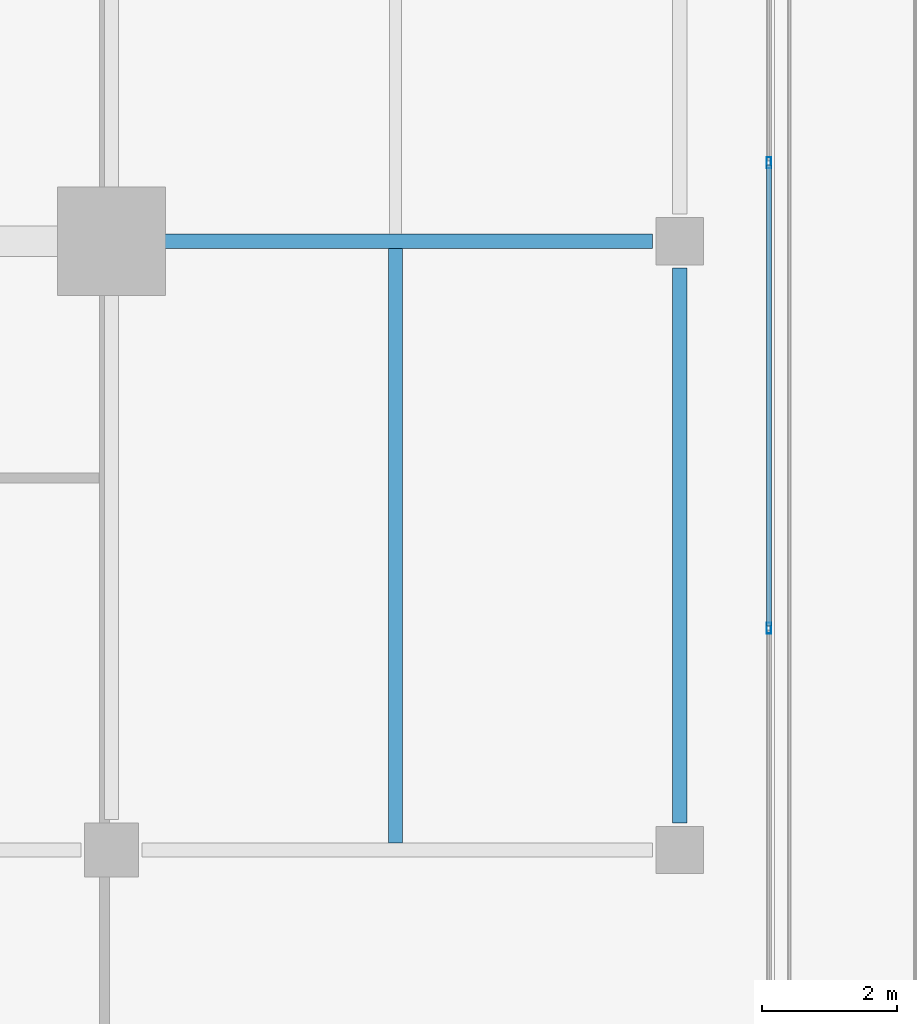
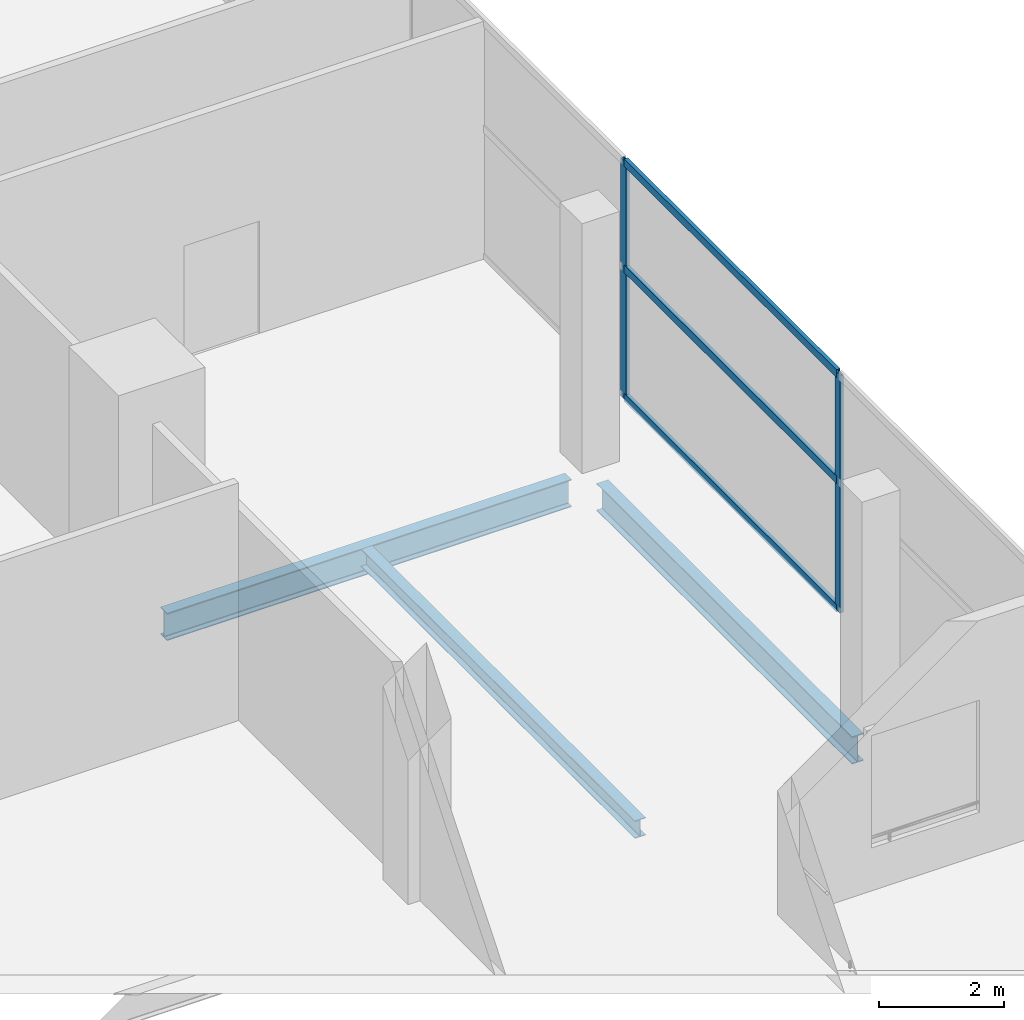
# One storey, part 12 of 28: 5 members, 3 beams, 1 element without a shape of its own.
"""IFC4 building model written with IfcOpenShell, lengths in metres."""

import ifcopenshell
import ifcopenshell.guid

model = None  # the IFC model being written
_history = None  # IfcOwnerHistory: only IFC2X3 demands one
_inside = {}  # id of a spatial element -> (the spatial element, [elements in it])
_under = {}  # id of a project, library or spatial element -> (it, [spatial elements below it])
_declared = {}  # id of a project -> (the project, [libraries it declares])
_typed = {}  # id of a type object -> (the type object, [elements of that type])
_made_of = {}  # id of a material, layer set ... -> (it, [elements and type objects made of it])


def new_model(schema):
    """Start an empty IFC model of exactly this schema.

    Asked for "IFC4X3", IfcOpenShell would pick the latest addendum, in which some entities
    have other attributes; the version numbers below select the first issue.
    IFC2X3 requires an IfcOwnerHistory on every rooted entity: one is made here for all.
    """
    global model, _history
    if schema == "IFC4X3":
        model = ifcopenshell.file(schema_version=(4, 3, 0, 0))
    else:
        model = ifcopenshell.file(schema=schema)
    _inside.clear()
    _under.clear()
    _declared.clear()
    _typed.clear()
    _made_of.clear()
    _history = None
    if model.schema == "IFC2X3":
        org = make("IfcOrganization", Name="unknown")
        user = make(
            "IfcPersonAndOrganization",
            ThePerson=make("IfcPerson", FamilyName="unknown"),
            TheOrganization=org,
        )
        app = make(
            "IfcApplication",
            ApplicationDeveloper=org,
            Version="unknown",
            ApplicationFullName="unknown",
            ApplicationIdentifier="unknown",
        )
        _history = make(
            "IfcOwnerHistory",
            OwningUser=user,
            OwningApplication=app,
            ChangeAction="ADDED",
            CreationDate=0,
        )
    return model


def make(cls, **values):
    """One entity of the class cls with the attributes given. An attribute that is None is left unset."""
    return model.create_entity(
        cls, **{name: value for name, value in values.items() if value is not None}
    )


def rooted(cls, **values):
    """An entity with a GlobalId (a new one), such as an element, a storey or a relation."""
    return make(cls, GlobalId=ifcopenshell.guid.new(), OwnerHistory=_history, **values)


def si_unit(unit_type, name, prefix=None):
    """IfcSIUnit, for example si_unit("LENGTHUNIT", "METRE", prefix="MILLI")."""
    return make("IfcSIUnit", UnitType=unit_type, Prefix=prefix, Name=name)


def assignment(units):
    """IfcUnitAssignment: the units of a project."""
    return None if units is None else make("IfcUnitAssignment", Units=units)


def point(xyz):
    """IfcCartesianPoint."""
    return None if xyz is None else make("IfcCartesianPoint", Coordinates=xyz)


def direction(xyz):
    """IfcDirection."""
    return None if xyz is None else make("IfcDirection", DirectionRatios=xyz)


def frame(location, z_axis=None, x_axis=None):
    """IfcAxis2Placement3D, a coordinate frame: its origin and axes. An axis left out is left unset."""
    return make(
        "IfcAxis2Placement3D",
        Location=point(location),
        Axis=direction(z_axis),
        RefDirection=direction(x_axis),
    )


def frame_2d(location, x_axis=None):
    """IfcAxis2Placement2D, a coordinate frame in the plane: its origin and x axis."""
    return make(
        "IfcAxis2Placement2D", Location=point(location), RefDirection=direction(x_axis)
    )


def origin():
    """The frame at (0, 0, 0) with its axes left unset."""
    return frame((0.0, 0.0, 0.0))


def origin_2d():
    """The frame at (0, 0) in the plane with its x axis left unset."""
    return frame_2d((0.0, 0.0))


def place(relative_to, where):
    """IfcLocalPlacement: puts the frame where relative to a parent placement (None: the world)."""
    return make(
        "IfcLocalPlacement", PlacementRelTo=relative_to, RelativePlacement=where
    )


def context(
    kind, dimensions, precision=None, world=None, true_north=None, identifier=None
):
    """IfcGeometricRepresentationContext, for example the 3D "Model" context."""
    return make(
        "IfcGeometricRepresentationContext",
        ContextIdentifier=identifier,
        ContextType=kind,
        CoordinateSpaceDimension=dimensions,
        Precision=precision,
        WorldCoordinateSystem=world,
        TrueNorth=true_north,
    )


def subcontext(parent, identifier, kind, view, scale=None):
    """IfcGeometricRepresentationSubContext, for example "Body" below "Model"."""
    return make(
        "IfcGeometricRepresentationSubContext",
        ContextIdentifier=identifier,
        ContextType=kind,
        ParentContext=parent,
        TargetScale=scale,
        TargetView=view,
    )


def project(units=None, contexts=None):
    """IfcProject with its units and contexts."""
    return rooted(
        "IfcProject",
        Name="project",
        RepresentationContexts=contexts,
        UnitsInContext=assignment(units),
    )


def spatial(cls, under=None, at=None, **own):
    """A site, building, storey or space (cls), placed at a placement, below another one or the project."""
    s = rooted(cls, ObjectPlacement=at, **own)
    if under is not None:
        _under.setdefault(under.id(), (under, []))[1].append(s)
    return s


def profile(cls, at=None, kind="AREA", **sizes):
    """A parametric profile (cls). Its sizes go by their IFC names, for example OverallWidth=200.0."""
    return make(cls, ProfileType=kind, Position=at, **sizes)


def hollow_rectangle(**sizes):
    """IfcRectangleHollowProfileDef."""
    return profile("IfcRectangleHollowProfileDef", **sizes)


def i_section(**sizes):
    """IfcIShapeProfileDef."""
    return profile("IfcIShapeProfileDef", **sizes)


def extrude(swept, where, along, depth):
    """IfcExtrudedAreaSolid: the profile swept, set in the frame where, extruded along a direction by depth."""
    return make(
        "IfcExtrudedAreaSolid",
        SweptArea=swept,
        Position=where,
        ExtrudedDirection=direction(along),
        Depth=depth,
    )


def shape(context_of_items, identifier, shape_type, items):
    """IfcShapeRepresentation: the items that make up one representation, for example the "Body"."""
    return make(
        "IfcShapeRepresentation",
        ContextOfItems=context_of_items,
        RepresentationIdentifier=identifier,
        RepresentationType=shape_type,
        Items=items,
    )


def material(Name=None, Category=None):
    """IfcMaterial."""
    return make("IfcMaterial", Name=Name, Category=Category)


def layer(
    of_material, thickness, ventilated=None, Name=None, Category=None, Priority=None
):
    """IfcMaterialLayer: one layer of a wall or slab, of a material (None: an air gap)."""
    return make(
        "IfcMaterialLayer",
        Material=of_material,
        LayerThickness=thickness,
        IsVentilated=ventilated,
        Name=Name,
        Category=Category,
        Priority=Priority,
    )


def layer_set(layers, Name=None):
    """IfcMaterialLayerSet."""
    return make("IfcMaterialLayerSet", MaterialLayers=layers, LayerSetName=Name)


def material_profile(
    of_material, cross_section, Name=None, Category=None, Priority=None
):
    """IfcMaterialProfile: a cross section and its material."""
    return make(
        "IfcMaterialProfile",
        Name=Name,
        Material=of_material,
        Profile=cross_section,
        Priority=Priority,
        Category=Category,
    )


def profile_set(profiles, Name=None, composite=None):
    """IfcMaterialProfileSet."""
    return make(
        "IfcMaterialProfileSet",
        Name=Name,
        MaterialProfiles=profiles,
        CompositeProfile=composite,
    )


def made_of(thing, what):
    """Note that an element or type object is made of a material, layer set ...; save() writes the relation."""
    if what is not None:
        _made_of.setdefault(what.id(), (what, []))[1].append(thing)
    return thing


def type_object(cls, material=None, **own):
    """A type object (cls), such as IfcWallType, which elements share."""
    return made_of(rooted(cls, **own), material)


def element(
    cls,
    number,
    at=None,
    inside=None,
    cuts=None,
    type_object=None,
    material=None,
    context=None,
    identifier="Body",
    shape_type=None,
    held_by="IfcProductDefinitionShape",
    body=None,
    shapes=None,
    **own,
):
    """One element of the class cls, such as IfcWall. Its Tag is "e" and its number.

    at: its placement. inside: the storey or other place that contains it. cuts: it is an
    opening in that element (IfcRelVoidsElement). A single representation is given by context,
    identifier, shape_type and body (its items); several are given by shapes. held_by: the class
    of the entity that holds the representations. save() writes the other relations.
    """
    e = rooted(cls, Tag="e%d" % number, ObjectPlacement=at, **own)
    if body is not None:
        shapes = [shape(context, identifier, shape_type, body)]
    if shapes is not None:
        e.Representation = make(held_by, Representations=shapes)
    if inside is not None:
        _inside.setdefault(inside.id(), (inside, []))[1].append(e)
    if cuts is not None:
        rooted(
            "IfcRelVoidsElement", RelatingBuildingElement=cuts, RelatedOpeningElement=e
        )
    if type_object is not None:
        _typed.setdefault(type_object.id(), (type_object, []))[1].append(e)
    return made_of(e, material)


def aggregate(whole, parts):
    """IfcRelAggregates: a whole, such as a stair, and the parts it consists of."""
    return rooted("IfcRelAggregates", RelatingObject=whole, RelatedObjects=parts)


def save(model, path):
    """Write the relations noted so far, then the file.

    IfcRelAggregates (storeys below a building ...), IfcRelContainedInSpatialStructure (elements
    in a storey), IfcRelDefinesByType, IfcRelAssociatesMaterial and IfcRelDeclares: one each for
    every whole, place, type object, material and project.
    """
    for whole, parts in _under.values():
        aggregate(whole, parts)
    for where, things in _inside.values():
        rooted(
            "IfcRelContainedInSpatialStructure",
            RelatedElements=things,
            RelatingStructure=where,
        )
    for kind, things in _typed.values():
        rooted("IfcRelDefinesByType", RelatedObjects=things, RelatingType=kind)
    for what, things in _made_of.values():
        rooted("IfcRelAssociatesMaterial", RelatedObjects=things, RelatingMaterial=what)
    for by, libraries in _declared.values():
        rooted("IfcRelDeclares", RelatingContext=by, RelatedDefinitions=libraries)
    model.write(path)


model = new_model("IFC4")

# Units and contexts
model_context = context("Model", 3, precision=1e-05, world=origin(), true_north=direction((0.0, 1.0)))
body_context = subcontext(model_context, "Body", "Model", "MODEL_VIEW")
ifc_project = project(units=[si_unit("LENGTHUNIT", "METRE"), si_unit("AREAUNIT", "SQUARE_METRE"), si_unit("VOLUMEUNIT", "CUBIC_METRE"), si_unit("PLANEANGLEUNIT", "RADIAN"), si_unit("MASSUNIT", "GRAM", prefix="KILO")], contexts=[model_context])

# Site, building, storey
site_placement = place(None, origin())
site = spatial("IfcSite", under=ifc_project, at=site_placement, CompositionType="ELEMENT")
building_placement = place(site_placement, origin())
building = spatial("IfcBuilding", under=site, at=building_placement, Name="Maruvema Waterfront Hotel and Observation Tower", CompositionType="ELEMENT")
storey_placement = place(building_placement, frame((0.0, 0.0, 234.5)))
storey = spatial("IfcBuildingStorey", under=building, at=storey_placement, Name="L57", CompositionType="ELEMENT", Elevation=234.5)

# Curtain wall, members
ifc_material_1 = material(Name="Anodised bronze aluminium and solar-control low-E IGU", Category="aluminium")
ifc_layer = layer(ifc_material_1, 0.159912109375, Name="Zone 3 Champagne Inner Thermal Curtain Wall System CW-04")
ifc_layer_set = layer_set([ifc_layer], Name="Anodised bronze aluminium and solar-control low-E IGU")
curtain_wall_type = type_object("IfcCurtainWallType", Name="Zone 3 Champagne Inner Thermal Curtain Wall System CW-04", PredefinedType="USERDEFINED", material=ifc_layer_set)
curtain_wall_placement = place(storey_placement, origin())
curtain_wall = element("IfcCurtainWall", 1, at=curtain_wall_placement, inside=storey, type_object=curtain_wall_type, Name="L57 Curtain Wall CW-L57-E", ObjectType="UNITISED CURTAIN WALL", PredefinedType="USERDEFINED")
ifc_material_2 = material(Name="Anodised architectural bronze aluminium", Category="aluminium")
ifc_material_profile_1 = material_profile(ifc_material_2, hollow_rectangle(XDim=0.070068359375, YDim=0.14990234375, WallThickness=0.00390625, at=origin_2d()), Name="ALU-T70x150")
ifc_profile_set_1 = profile_set([ifc_material_profile_1], Name="Anodised architectural bronze aluminium")
member_type_1 = type_object("IfcMemberType", Name="Curtain Wall Horizontal Transom ALU-T70x150", PredefinedType="USERDEFINED", material=ifc_profile_set_1)
member_1_placement = place(storey_placement, frame((60.1201171875, 21.31005859375, 0.030029296875), z_axis=(0.0, 1.0, 0.0), x_axis=(-1.0, 0.0, 0.0)))
member_1 = element("IfcMember", 2, at=member_1_placement, type_object=member_type_1, Name="CW-04 transom 2.1", ObjectType="TRANSOM", PredefinedType="USERDEFINED", context=body_context, shape_type="SweptSolid", body=[
    extrude(hollow_rectangle(XDim=0.070068359375, YDim=0.14990234375, WallThickness=0.00390625, at=origin_2d()), origin(), (0.0, 0.0, 1.0), 6.81982421875),
])
member_2_placement = place(storey_placement, frame((60.1201171875, 21.31005859375, 2.550048828125), z_axis=(0.0, 1.0, 0.0), x_axis=(-1.0, 0.0, 0.0)))
member_2 = element("IfcMember", 3, at=member_2_placement, type_object=member_type_1, Name="CW-04 transom 2.2", ObjectType="TRANSOM", PredefinedType="USERDEFINED", context=body_context, shape_type="SweptSolid", body=[
    extrude(hollow_rectangle(XDim=0.070068359375, YDim=0.14990234375, WallThickness=0.00390625, at=origin_2d()), origin(), (0.0, 0.0, 1.0), 6.81982421875),
])
member_3_placement = place(storey_placement, frame((60.1201171875, 21.31005859375, 4.6298828125), z_axis=(0.0, 1.0, 0.0), x_axis=(-1.0, 0.0, 0.0)))
member_3 = element("IfcMember", 4, at=member_3_placement, type_object=member_type_1, Name="CW-04 transom 2.3", ObjectType="TRANSOM", PredefinedType="USERDEFINED", context=body_context, shape_type="SweptSolid", body=[
    extrude(hollow_rectangle(XDim=0.070068359375, YDim=0.14990234375, WallThickness=0.00390625, at=origin_2d()), origin(), (0.0, 0.0, 1.0), 6.81982421875),
])
ifc_material_3 = material(Name="Anodised architectural bronze aluminium", Category="aluminium")
ifc_material_profile_2 = material_profile(ifc_material_3, hollow_rectangle(XDim=0.06494140625, YDim=0.1650390625, WallThickness=0.00390625, at=origin_2d()), Name="ALU-M65x165")
ifc_profile_set_2 = profile_set([ifc_material_profile_2], Name="Anodised architectural bronze aluminium")
member_type_2 = type_object("IfcMemberType", Name="Curtain Wall Primary Mullion ALU-M65x165", PredefinedType="MULLION", material=ifc_profile_set_2)
member_4_placement = place(storey_placement, frame((60.1201171875, 21.280029296875, 0.0), z_axis=(0.0, 0.0, 1.0), x_axis=(-1.0, 0.0, 0.0)))
member_4 = element("IfcMember", 5, at=member_4_placement, type_object=member_type_2, Name="CW-04 mullion 2", PredefinedType="MULLION", context=body_context, shape_type="SweptSolid", body=[
    extrude(hollow_rectangle(XDim=0.06494140625, YDim=0.1650390625, WallThickness=0.00390625, at=origin_2d()), origin(), (0.0, 0.0, 1.0), 4.659912109375),
])
member_5_placement = place(storey_placement, frame((60.1201171875, 28.159912109375, 0.0), z_axis=(0.0, 0.0, 1.0), x_axis=(-1.0, 0.0, 0.0)))
member_5 = element("IfcMember", 6, at=member_5_placement, type_object=member_type_2, Name="CW-04 mullion 3", PredefinedType="MULLION", context=body_context, shape_type="SweptSolid", body=[
    extrude(hollow_rectangle(XDim=0.06494140625, YDim=0.1650390625, WallThickness=0.00390625, at=origin_2d()), origin(), (0.0, 0.0, 1.0), 4.659912109375),
])
aggregate(curtain_wall, [member_4, member_5, member_1, member_2, member_3])

# Beams
ifc_material_4 = material(Name="Steel ASTM A572 Grade 50", Category="steel")
ifc_material_profile_3 = material_profile(ifc_material_4, i_section(OverallWidth=0.2109375, OverallDepth=0.5390625, WebThickness=0.01171875, FlangeThickness=0.018798828125, FilletRadius=0.014892578125, at=origin_2d()), Name="W530x109.0")
ifc_profile_set_3 = profile_set([ifc_material_profile_3], Name="Steel ASTM A572 Grade 50")
beam_type_1 = type_object("IfcBeamType", Name="Primary Floor Girder W530x109.0", PredefinedType="BEAM", material=ifc_profile_set_3)
beam_1_placement = place(storey_placement, frame((50.89990234375, 27.0, -0.509521484375), z_axis=(1.0, 0.0, 0.0), x_axis=(0.0, 1.0, 0.0)))
element("IfcBeam", 7, at=beam_1_placement, inside=storey, type_object=beam_type_1, Name="L57 Floor Girder EW-08", PredefinedType="BEAM", context=body_context, shape_type="SweptSolid", body=[
    extrude(i_section(OverallWidth=0.2109375, OverallDepth=0.5390625, WebThickness=0.01171875, FlangeThickness=0.018798828125, FilletRadius=0.014892578125, at=origin_2d()), origin(), (0.0, 0.0, 1.0), 7.5),
])
beam_2_placement = place(storey_placement, frame((58.800048828125, 18.39990234375, -0.509521484375), z_axis=(0.0, 1.0, 0.0), x_axis=(-1.0, 0.0, 0.0)))
element("IfcBeam", 8, at=beam_2_placement, inside=storey, type_object=beam_type_1, Name="L57 Floor Girder NS-12", PredefinedType="BEAM", context=body_context, shape_type="SweptSolid", body=[
    extrude(i_section(OverallWidth=0.2109375, OverallDepth=0.5390625, WebThickness=0.01171875, FlangeThickness=0.018798828125, FilletRadius=0.014892578125, at=origin_2d()), origin(), (0.0, 0.0, 1.0), 8.2001953125),
])
ifc_material_5 = material(Name="Steel ASTM A572 Grade 50", Category="steel")
ifc_material_profile_4 = material_profile(ifc_material_5, i_section(OverallWidth=0.202880859375, OverallDepth=0.346923828125, WebThickness=0.0078125, FlangeThickness=0.013427734375, FilletRadius=0.014892578125, at=origin_2d()), Name="W360x64.0")
ifc_profile_set_4 = profile_set([ifc_material_profile_4], Name="Steel ASTM A572 Grade 50")
beam_type_2 = type_object("IfcBeamType", Name="Secondary Floor Joist W360x64.0", PredefinedType="JOIST", material=ifc_profile_set_4)
beam_3_placement = place(storey_placement, frame((54.60009765625, 18.10546875, -0.41357421875), z_axis=(0.0, 1.0, 0.0), x_axis=(-1.0, 0.0, 0.0)))
element("IfcBeam", 9, at=beam_3_placement, inside=storey, type_object=beam_type_2, Name="L57 Secondary Floor Joist JS-04", PredefinedType="JOIST", context=body_context, shape_type="SweptSolid", body=[
    extrude(i_section(OverallWidth=0.202880859375, OverallDepth=0.346923828125, WebThickness=0.0078125, FlangeThickness=0.013427734375, FilletRadius=0.014892578125, at=origin_2d()), origin(), (0.0, 0.0, 1.0), 8.7890625),
])

save(model, "model.ifc")
